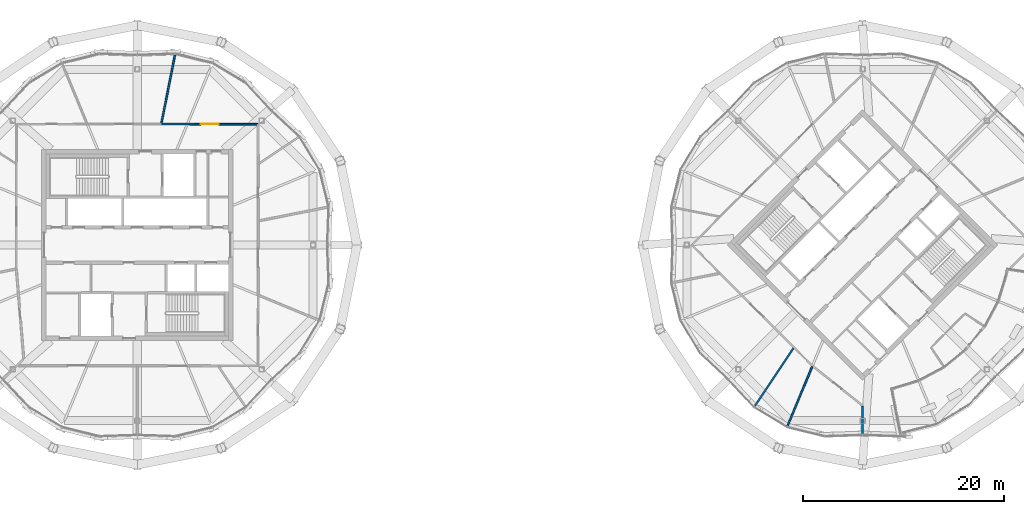
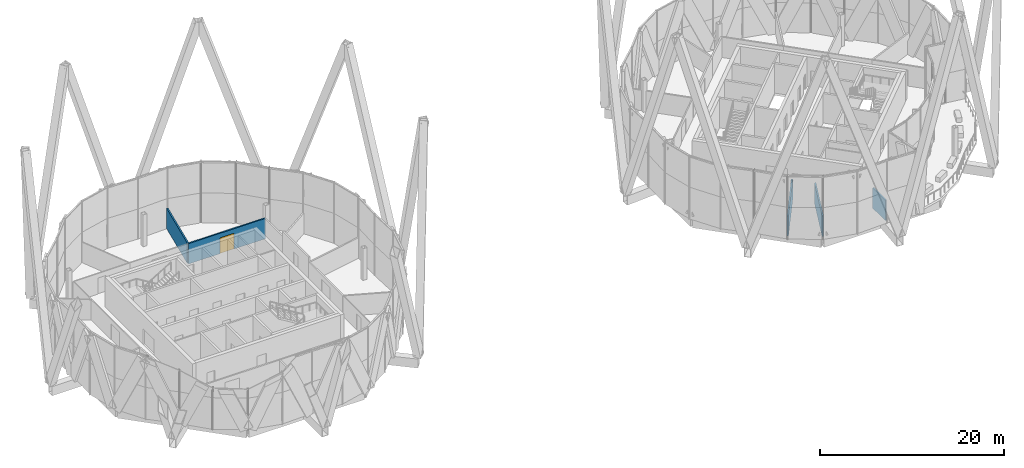
# One storey, part 32 of 38: 5 walls, 1 door, 1 opening.
"""IFC4 building model written with IfcOpenShell, lengths in metres."""

from ifc_helpers import new_model, si_unit, direction, frame, frame_2d, origin, place, context, subcontext, project, spatial, rectangle, extrude, material, layer, layer_set, type_object, element, fill, save


model = new_model("IFC4")

# Units and contexts
model_context = context("Model", 3, precision=1e-05, world=origin(), true_north=direction((0.0, 1.0)))
body_context = subcontext(model_context, "Body", "Model", "MODEL_VIEW")
ifc_project = project(units=[si_unit("LENGTHUNIT", "METRE"), si_unit("AREAUNIT", "SQUARE_METRE"), si_unit("VOLUMEUNIT", "CUBIC_METRE"), si_unit("PLANEANGLEUNIT", "RADIAN"), si_unit("MASSUNIT", "GRAM", prefix="KILO")], contexts=[model_context])

# Site, building, storey
site_placement = place(None, origin())
site = spatial("IfcSite", under=ifc_project, at=site_placement, CompositionType="ELEMENT")
building_placement = place(site_placement, origin())
building = spatial("IfcBuilding", under=site, at=building_placement, Name="Ogive Gate Towers", CompositionType="ELEMENT")
storey_placement = place(building_placement, frame((0.0, 0.0, 268.800048828125)))
storey = spatial("IfcBuildingStorey", under=building, at=storey_placement, Name="L63", CompositionType="ELEMENT", Elevation=268.800048828125)

# Wall
ifc_material_1 = material(Name="Gypsum board acoustic partition")
ifc_layer = layer(ifc_material_1, 0.175048828125)
ifc_layer_set = layer_set([ifc_layer], Name="Acoustic partition 175")
wall_type = type_object("IfcWallType", Name="Acoustic partition 175", PredefinedType="PARTITIONING", material=ifc_layer_set)
wall_1_placement = place(storey_placement, frame((-32.251708984375, 18.89111328125, 0.0), z_axis=(0.0, 0.0, 1.0), x_axis=(-0.194639279139, -0.980874890603, 0.0)))
element("IfcWall", 1, at=wall_1_placement, inside=storey, type_object=wall_type, Name="Partition T1-L63-003", PredefinedType="PARTITIONING", context=body_context, shape_type="SweptSolid", body=[
    extrude(rectangle(XDim=6.931396484375, YDim=0.175048828125, at=frame_2d((3.4658203125, 0.0))), origin(), (0.0, 0.0, 1.0), 2.699951171875),
])

# Wall, opening, door
wall_2_placement = place(storey_placement, frame((-24.02001953125, 11.97998046875, 0.0), z_axis=(0.0, 0.0, 1.0), x_axis=(-0.999996226515, 0.002747172499, 0.0)))
wall_2 = element("IfcWall", 2, at=wall_2_placement, inside=storey, type_object=wall_type, Name="Partition T1-L63-022", PredefinedType="PARTITIONING", context=body_context, shape_type="SweptSolid", body=[
    extrude(rectangle(XDim=9.597900390625, YDim=0.175048828125, at=frame_2d((4.798828125, 0.0))), origin(), (0.0, 0.0, 1.0), 2.699951171875),
])
opening_placement = place(wall_2_placement, frame((3.89892578125, 0.0, 0.0)))
opening = element("IfcOpeningElement", 3, at=opening_placement, cuts=wall_2, Name="Opening T1-L63-D10", PredefinedType="OPENING", context=body_context, shape_type="SweptSolid", body=[
    extrude(rectangle(XDim=1.800048828125, YDim=2.10009765625, at=frame_2d((0.89990234375, 1.050048828125))), frame((0.0, 0.09765625, 0.0), z_axis=(0.0, -1.0, 0.0), x_axis=(1.0, 0.0, 0.0)), (0.0, 0.0, 1.0), 0.195068359375),
])
ifc_material_2 = material(Name="Timber door", Category="wood")
door_type = type_object("IfcDoorType", Name="Door pair 1800", OperationType="NOTDEFINED", PredefinedType="DOOR", material=ifc_material_2)
door_placement = place(opening_placement, origin())
door = element("IfcDoor", 4, at=door_placement, inside=storey, type_object=door_type, Name="Door T1-L63-D10", OperationType="DOUBLE_DOOR_DOUBLE_SWING", OverallHeight=2.10009765625, OverallWidth=1.800048828125, PredefinedType="DOOR", context=body_context, shape_type="SweptSolid", body=[
    extrude(rectangle(XDim=1.800048828125, YDim=2.10009765625, at=frame_2d((0.89990234375, 1.050048828125))), frame((0.0, 0.02490234375, 0.0), z_axis=(0.0, -1.0, 0.0), x_axis=(1.0, 0.0, 0.0)), (0.0, 0.0, 1.0), 0.050048828125),
])
fill(opening, door)

# Walls
wall_3_placement = place(storey_placement, frame((25.292236328125, -16.008544921875, 0.0), z_axis=(0.0, 0.0, 1.0), x_axis=(0.555975655694, 0.831198574515, 0.0)))
element("IfcWall", 5, at=wall_3_placement, inside=storey, type_object=wall_type, Name="Partition T2-L63-008", PredefinedType="PARTITIONING", context=body_context, shape_type="SweptSolid", body=[
    extrude(rectangle(XDim=6.931640625, YDim=0.175048828125, at=frame_2d((3.4658203125, 0.0))), origin(), (0.0, 0.0, 1.0), 2.699951171875),
])
wall_4_placement = place(storey_placement, frame((28.552978515625, -17.978759765625, 0.0), z_axis=(0.0, 0.0, 1.0), x_axis=(0.382688548773, 0.923877413209, 0.0)))
element("IfcWall", 6, at=wall_4_placement, inside=storey, type_object=wall_type, Name="Partition T2-L63-009", PredefinedType="PARTITIONING", context=body_context, shape_type="SweptSolid", body=[
    extrude(rectangle(XDim=6.381591796875, YDim=0.175048828125, at=frame_2d((3.19091796875, 0.0))), origin(), (0.0, 0.0, 1.0), 2.699951171875),
])
wall_5_placement = place(storey_placement, frame((36.0, -18.759033203125, 0.0), z_axis=(0.0, 0.0, 1.0), x_axis=(0.0, 1.0, 0.0)))
element("IfcWall", 7, at=wall_5_placement, inside=storey, type_object=wall_type, Name="Partition T2-L63-010", PredefinedType="PARTITIONING", context=body_context, shape_type="SweptSolid", body=[
    extrude(rectangle(XDim=2.7314453125, YDim=0.175048828125, at=frame_2d((1.36572265625, 0.0))), origin(), (0.0, 0.0, 1.0), 2.699951171875),
])

save(model, "model.ifc")
